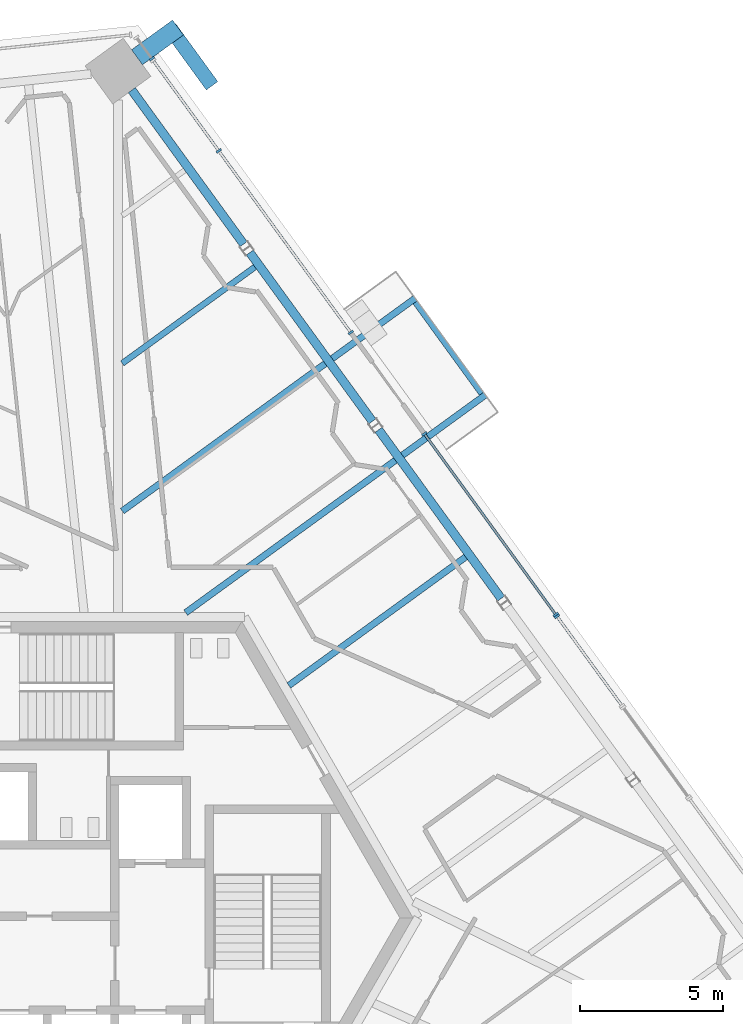
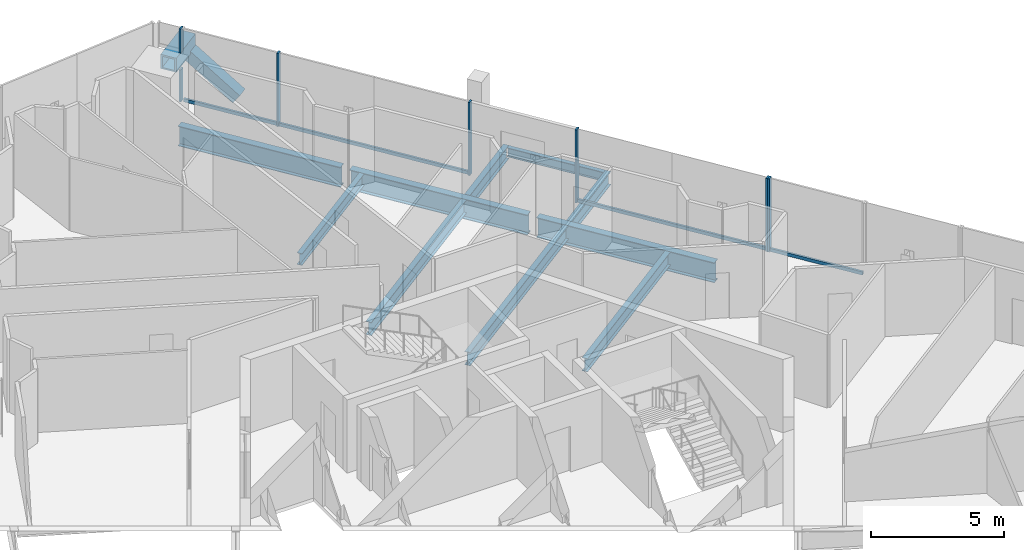
# One storey, part 10 of 26: 13 members, 10 beams, 5 elements without a shape of their own.
"""IFC4 building model written with IfcOpenShell, lengths in metres."""

from ifc_helpers import new_model, si_unit, direction, frame, origin, origin_2d, place, context, subcontext, project, spatial, rectangle, hollow_rectangle, i_section, extrude, source, transform, mapped, material, material_profile, profile_set, type_object, element, aggregate, save


model = new_model("IFC4")

# Units and contexts
model_context = context("Model", 3, precision=1e-05, world=origin(), true_north=direction((0.0, 1.0)))
body_context = subcontext(model_context, "Body", "Model", "MODEL_VIEW")
ifc_project = project(units=[si_unit("LENGTHUNIT", "METRE"), si_unit("AREAUNIT", "SQUARE_METRE"), si_unit("VOLUMEUNIT", "CUBIC_METRE"), si_unit("PLANEANGLEUNIT", "RADIAN"), si_unit("MASSUNIT", "GRAM", prefix="KILO")], contexts=[model_context])

# Site, building, storey
site_placement = place(None, origin())
site = spatial("IfcSite", under=ifc_project, at=site_placement, CompositionType="ELEMENT")
building_placement = place(site_placement, origin())
building = spatial("IfcBuilding", under=site, at=building_placement, Name="Triune Harvest Tower", CompositionType="ELEMENT")
storey_placement = place(building_placement, frame((0.0, 0.0, 252.10009765625)))
storey = spatial("IfcBuildingStorey", under=building, at=storey_placement, Name="L66", CompositionType="ELEMENT", Elevation=252.10009765625)

# Curtain wall, member
ifc_material_1 = material(Name="Aluminium bronze anodised", Category="aluminium")
curtain_wall_type_1 = type_object("IfcCurtainWallType", Name="CW-10 Balcony window wall with insulated spandrel infill", PredefinedType="NOTDEFINED", material=ifc_material_1)
curtain_wall_1_placement = place(storey_placement, origin())
curtain_wall_1 = element("IfcCurtainWall", 1, at=curtain_wall_1_placement, inside=storey, type_object=curtain_wall_type_1, Name="CW-10 B6-F1 L66 run 2201")
ifc_material_2 = material(Name="Aluminium bronze anodised", Category="aluminium")
ifc_material_profile_1 = material_profile(ifc_material_2, rectangle(XDim=0.090087890625, YDim=0.14990234375, at=origin_2d()), Name="TR-6 transom 90 x 150")
ifc_profile_set_1 = profile_set([ifc_material_profile_1], Name="Aluminium bronze anodised")
member_type_1 = type_object("IfcMemberType", Name="TR-6 transom 90 x 150", PredefinedType="USERDEFINED", material=ifc_profile_set_1)
member_1_placement = place(storey_placement, frame((19.30419921875, 7.462158203125, 0.074951171875), z_axis=(-0.587831933757, 0.808983076248, 0.0), x_axis=(-0.808983076248, -0.587831933757, 0.0)))
member_1 = element("IfcMember", 2, at=member_1_placement, type_object=member_type_1, Name="CW-10 transom B6-F1 2201.1", ObjectType="TRANSOM", PredefinedType="USERDEFINED", context=body_context, shape_type="SweptSolid", body=[
    extrude(rectangle(XDim=0.090087890625, YDim=0.14990234375, at=origin_2d()), origin(), (0.0, 0.0, 1.0), 3.80322265625),
])

ifc_material_3 = material(Name="Aluminium bronze anodised", Category="aluminium")
curtain_wall_type_2 = type_object("IfcCurtainWallType", Name="CW-6 Balcony window wall", PredefinedType="NOTDEFINED", material=ifc_material_3)
curtain_wall_2_placement = place(storey_placement, origin())
curtain_wall_2 = element("IfcCurtainWall", 3, at=curtain_wall_2_placement, inside=storey, type_object=curtain_wall_type_2, Name="CW-6 B6-F1 L66 run 3201")
member_2_placement = place(storey_placement, frame((16.98046875, 10.66015625, 0.074951171875), z_axis=(-0.587772972264, 0.809025916196, 0.0), x_axis=(-0.809025916196, -0.587772972264, 0.0)))
member_2 = element("IfcMember", 4, at=member_2_placement, type_object=member_type_1, Name="CW-6 transom B6-F1 3201.1", ObjectType="TRANSOM", PredefinedType="USERDEFINED", context=body_context, shape_type="SweptSolid", body=[
    extrude(rectangle(XDim=0.090087890625, YDim=0.14990234375, at=origin_2d()), origin(), (0.0, 0.0, 1.0), 7.756103515625),
])

# Curtain wall, members
curtain_wall_3_placement = place(storey_placement, origin())
curtain_wall_3 = element("IfcCurtainWall", 5, at=curtain_wall_3_placement, inside=storey, type_object=curtain_wall_type_1, Name="CW-10 B6-F1 L66 run 2")
member_3_placement = place(storey_placement, frame((9.79638671875, 20.548583984375, 0.074951171875), z_axis=(-0.587789902584, 0.80901361572, 0.0), x_axis=(-0.80901361572, -0.587789902584, 0.0)))
member_3 = element("IfcMember", 6, at=member_3_placement, type_object=member_type_1, Name="CW-10 transom B6-F1 2.1", ObjectType="TRANSOM", PredefinedType="USERDEFINED", context=body_context, shape_type="SweptSolid", body=[
    extrude(rectangle(XDim=0.090087890625, YDim=0.14990234375, at=origin_2d()), origin(), (0.0, 0.0, 1.0), 7.795654296875),
])
member_4_placement = place(storey_placement, frame((5.169921875, 26.916015625, 0.074951171875), z_axis=(-0.587789978261, 0.809013560737, 0.0), x_axis=(-0.809013560737, -0.587789978261, 0.0)))
member_4 = element("IfcMember", 7, at=member_4_placement, type_object=member_type_1, Name="CW-10 transom B6-F1 2.2", ObjectType="TRANSOM", PredefinedType="USERDEFINED", context=body_context, shape_type="SweptSolid", body=[
    extrude(rectangle(XDim=0.090087890625, YDim=0.14990234375, at=origin_2d()), origin(), (0.0, 0.0, 1.0), 3.841552734375),
])

# Beams
ifc_material_4 = material(Name="Steel ASTM A992 Gr 50", Category="steel")
ifc_material_profile_2 = material_profile(ifc_material_4, i_section(OverallWidth=0.3046875, OverallDepth=0.914306640625, WebThickness=0.0166015625, FlangeThickness=0.02587890625, at=origin_2d()), Name="W36x160")
ifc_profile_set_2 = profile_set([ifc_material_profile_2], Name="Steel ASTM A992 Gr 50")
beam_type_1 = type_object("IfcBeamType", Name="SB-1 Spandrel beam W36x160", PredefinedType="SPANDREL", material=ifc_profile_set_2)
shared_shape_1 = source(origin(), body_context, "Body", "SweptSolid", [
    extrude(i_section(OverallWidth=0.3046875, OverallDepth=0.914306640625, WebThickness=0.0166015625, FlangeThickness=0.02587890625, at=origin_2d()), origin(), (0.0, 0.0, 1.0), 6.67041015625),
])
beam_1_placement = place(storey_placement, frame((6.06396484375, 23.617919921875, -0.6171875), z_axis=(-0.587797324645, 0.80900822316, 0.0), x_axis=(-0.80900822316, -0.587797324645, 0.0)))
element("IfcBeam", 8, at=beam_1_placement, inside=storey, type_object=beam_type_1, Name="beam/L66/SB6", PredefinedType="SPANDREL", context=body_context, shape_type="MappedRepresentation", body=[
    mapped(shared_shape_1, transform((0.0, 0.0, 0.0), scale=1.0)),
])
shared_shape_2 = source(origin(), body_context, "Body", "SweptSolid", [
    extrude(i_section(OverallWidth=0.3046875, OverallDepth=0.914306640625, WebThickness=0.0166015625, FlangeThickness=0.02587890625, at=origin_2d()), origin(), (0.0, 0.0, 1.0), 7.31103515625),
])
for number, where, z_axis, x_axis, name in (
    (9, (15.091552734375, 11.1923828125, -0.6171875), (-0.587786436325, 0.809016134124, 0.0), (-0.809016134124, -0.587786436325, 0.0), "beam/L66/SB4"),
    (10, (10.57763671875, 17.405029296875, -0.6171875), (-0.587786436325, 0.809016134124, 0.0), (-0.809016134124, -0.587786436325, 0.0), "beam/L66/SB5"),
):
    element("IfcBeam", number, at=place(storey_placement, frame(where, z_axis=z_axis, x_axis=x_axis)), inside=storey, type_object=beam_type_1, Name=name, PredefinedType="SPANDREL", context=body_context, shape_type="MappedRepresentation", body=[
        mapped(shared_shape_2, transform((0.0, 0.0, 0.0), scale=1.0)),
    ])
ifc_material_5 = material(Name="Steel ASTM A992 Gr 50", Category="steel")
ifc_material_profile_3 = material_profile(ifc_material_5, i_section(OverallWidth=0.22900390625, OverallDepth=0.612060546875, WebThickness=0.011962890625, FlangeThickness=0.01953125, at=origin_2d()), Name="W24x84")
ifc_profile_set_3 = profile_set([ifc_material_profile_3], Name="Steel ASTM A992 Gr 50")
beam_type_2 = type_object("IfcBeamType", Name="JT-3 Floor joist W24x84", PredefinedType="JOIST", material=ifc_profile_set_3)
shared_shape_3 = source(origin(), body_context, "Body", "SweptSolid", [
    extrude(i_section(OverallWidth=0.22900390625, OverallDepth=0.612060546875, WebThickness=0.011962890625, FlangeThickness=0.01953125, at=origin_2d()), origin(), (0.0, 0.0, 1.0), 7.659423828125),
])
beam_2_placement = place(storey_placement, frame((13.845458984375, 12.648193359375, -0.46630859375), z_axis=(-0.809007534686, -0.587798272217, 0.0), x_axis=(0.587798272217, -0.809007534686, 0.0)))
element("IfcBeam", 11, at=beam_2_placement, inside=storey, type_object=beam_type_2, Name="beam/L66/JT6", PredefinedType="JOIST", context=body_context, shape_type="MappedRepresentation", body=[
    mapped(shared_shape_3, transform((0.0, 0.0, 0.0), scale=1.0)),
])
shared_shape_4 = source(origin(), body_context, "Body", "SweptSolid", [
    extrude(i_section(OverallWidth=0.22900390625, OverallDepth=0.612060546875, WebThickness=0.011962890625, FlangeThickness=0.01953125, at=origin_2d()), origin(), (0.0, 0.0, 1.0), 9.084716796875),
])
beam_3_placement = place(storey_placement, frame((11.38330078125, 16.036865234375, -0.46630859375), z_axis=(-0.809014901919, -0.5877881323, 0.0), x_axis=(0.5877881323, -0.809014901919, 0.0)))
element("IfcBeam", 12, at=beam_3_placement, inside=storey, type_object=beam_type_2, Name="beam/L66/JT7", PredefinedType="JOIST", context=body_context, shape_type="MappedRepresentation", body=[
    mapped(shared_shape_4, transform((0.0, 0.0, 0.0), scale=1.0)),
])
shared_shape_5 = source(origin(), body_context, "Body", "SweptSolid", [
    extrude(i_section(OverallWidth=0.22900390625, OverallDepth=0.612060546875, WebThickness=0.011962890625, FlangeThickness=0.01953125, at=origin_2d()), origin(), (0.0, 0.0, 1.0), 8.789306640625),
])
beam_4_placement = place(storey_placement, frame((8.921142578125, 19.42578125, -0.46630859375), z_axis=(-0.809011065255, -0.587793412939, 0.0), x_axis=(0.587793412939, -0.809011065255, 0.0)))
element("IfcBeam", 13, at=beam_4_placement, inside=storey, type_object=beam_type_2, Name="beam/L66/JT8", PredefinedType="JOIST", context=body_context, shape_type="MappedRepresentation", body=[
    mapped(shared_shape_5, transform((0.0, 0.0, 0.0), scale=1.0)),
])
ifc_material_6 = material(Name="Steel ASTM A992 Gr 50", Category="steel")
ifc_material_profile_4 = material_profile(ifc_material_6, i_section(OverallWidth=0.2099609375, OverallDepth=0.535888671875, WebThickness=0.010986328125, FlangeThickness=0.017333984375, at=origin_2d()), Name="W21x68")
ifc_profile_set_4 = profile_set([ifc_material_profile_4], Name="Steel ASTM A992 Gr 50")
beam_type_3 = type_object("IfcBeamType", Name="JT-2 Floor joist W21x68", PredefinedType="JOIST", material=ifc_profile_set_4)
shared_shape_6 = source(origin(), body_context, "Body", "SweptSolid", [
    extrude(i_section(OverallWidth=0.2099609375, OverallDepth=0.535888671875, WebThickness=0.010986328125, FlangeThickness=0.017333984375, at=origin_2d()), origin(), (0.0, 0.0, 1.0), 5.745849609375),
])
beam_5_placement = place(storey_placement, frame((6.458984375, 22.814453125, -0.427978515625), z_axis=(-0.809024464979, -0.587774969751, 0.0), x_axis=(0.587774969751, -0.809024464979, 0.0)))
element("IfcBeam", 14, at=beam_5_placement, inside=storey, type_object=beam_type_3, Name="beam/L66/JT9", PredefinedType="JOIST", context=body_context, shape_type="MappedRepresentation", body=[
    mapped(shared_shape_6, transform((0.0, 0.0, 0.0), scale=1.0)),
])

# Members
ifc_material_7 = material(Name="Steel ASTM A572 Gr 50", Category="steel")
ifc_material_profile_5 = material_profile(ifc_material_7, hollow_rectangle(XDim=0.64990234375, YDim=0.64990234375, WallThickness=0.070068359375, at=origin_2d()), Name="Box 650x650x70")
ifc_profile_set_5 = profile_set([ifc_material_profile_5], Name="Steel ASTM A572 Gr 50")
member_type_2 = type_object("IfcMemberType", Name="BS-1 Brace stub Box 650x650x70", PredefinedType="STRUT", material=ifc_profile_set_5)
shared_shape_7 = source(origin(), body_context, "Body", "SweptSolid", [
    extrude(hollow_rectangle(XDim=0.64990234375, YDim=0.64990234375, WallThickness=0.070068359375, at=origin_2d()), origin(), (0.0, 0.0, 1.0), 1.775390625),
])
member_5_placement = place(storey_placement, frame((2.32568359375, 30.16650390625, 1.849853515625), z_axis=(0.808967929221, 0.587852778756, 0.0), x_axis=(-0.587852778756, 0.808967929221, 0.0)))
element("IfcMember", 15, at=member_5_placement, inside=storey, type_object=member_type_2, Name="brace/B6-F1/stub2", PredefinedType="STRUT", context=body_context, shape_type="MappedRepresentation", body=[
    mapped(shared_shape_7, transform((0.0, 0.0, 0.0), scale=1.0)),
])
ifc_material_8 = material(Name="Steel ASTM A572 Gr 50", Category="steel")
ifc_material_profile_6 = material_profile(ifc_material_8, hollow_rectangle(XDim=0.5, YDim=0.5, WallThickness=0.030029296875, at=origin_2d()), Name="Box 500x500x30")
ifc_profile_set_6 = profile_set([ifc_material_profile_6], Name="Steel ASTM A572 Gr 50")
member_type_3 = type_object("IfcMemberType", Name="BR-3 Brace Box 500x500x30", PredefinedType="BRACE", material=ifc_profile_set_6)
shared_shape_8 = source(origin(), body_context, "Body", "SweptSolid", [
    extrude(hollow_rectangle(XDim=0.5, YDim=0.5, WallThickness=0.030029296875, at=origin_2d()), origin(), (0.0, 0.0, 1.0), 2.718994140625),
])
member_6_placement = place(storey_placement, frame((4.8701171875, 29.285400390625, 0.0), z_axis=(-0.477414050778, 0.657084074402, 0.583366388547), x_axis=(-0.809008489532, -0.587796958027, 0.0)))
element("IfcMember", 16, at=member_6_placement, inside=storey, type_object=member_type_3, Name="brace/B6-F1/d1/10", PredefinedType="BRACE", context=body_context, shape_type="MappedRepresentation", body=[
    mapped(shared_shape_8, transform((0.0, 0.0, 0.0), scale=1.0)),
])

# Beams
ifc_material_9 = material(Name="Steel ASTM A992 Gr 50", Category="steel")
ifc_material_profile_7 = material_profile(ifc_material_9, i_section(OverallWidth=0.22900390625, OverallDepth=0.612060546875, WebThickness=0.011962890625, FlangeThickness=0.01953125, at=origin_2d()), Name="W24x84")
ifc_profile_set_7 = profile_set([ifc_material_profile_7], Name="Steel ASTM A992 Gr 50")
beam_type_4 = type_object("IfcBeamType", Name="BJ-3 Balcony cantilever joist W24x84", PredefinedType="JOIST", material=ifc_profile_set_7)
shared_shape_9 = source(origin(), body_context, "Body", "SweptSolid", [
    extrude(i_section(OverallWidth=0.22900390625, OverallDepth=0.612060546875, WebThickness=0.011962890625, FlangeThickness=0.01953125, at=origin_2d()), origin(), (0.0, 0.0, 1.0), 3.59765625),
])
for number, where, z_axis, x_axis, name in (
    (17, (9.167724609375, 19.60498046875, -0.46630859375), (0.809044100951, 0.587747941481, 0.0), (-0.587747941481, 0.809044100951, 0.0), "Balcony cantilever joist B6-F1 L66.8a"),
    (18, (11.6298828125, 16.216064453125, -0.46630859375), (0.809011831954, 0.58779235769, 0.0), (-0.58779235769, 0.809011831954, 0.0), "Balcony cantilever joist B6-F1 L66.8b"),
):
    element("IfcBeam", number, at=place(storey_placement, frame(where, z_axis=z_axis, x_axis=x_axis)), inside=storey, type_object=beam_type_4, Name=name, PredefinedType="JOIST", context=body_context, shape_type="MappedRepresentation", body=[
        mapped(shared_shape_9, transform((0.0, 0.0, 0.0), scale=1.0)),
    ])

# Curtain wall, member
curtain_wall_4_placement = place(storey_placement, origin())
curtain_wall_4 = element("IfcCurtainWall", 19, at=curtain_wall_4_placement, inside=storey, type_object=curtain_wall_type_2, Name="CW-6 B6-F1 L66 run 202")
ifc_material_10 = material(Name="Aluminium bronze anodised", Category="aluminium")
ifc_material_profile_8 = material_profile(ifc_material_10, rectangle(XDim=0.199951171875, YDim=0.074951171875, at=origin_2d()), Name="MU-6 mullion 75 x 200")
ifc_profile_set_8 = profile_set([ifc_material_profile_8], Name="Aluminium bronze anodised")
member_type_4 = type_object("IfcMemberType", Name="MU-6 mullion 75 x 200", PredefinedType="MULLION", material=ifc_profile_set_8)
shared_shape_10 = source(origin(), body_context, "Body", "SweptSolid", [
    extrude(rectangle(XDim=0.199951171875, YDim=0.074951171875, at=origin_2d()), origin(), (0.0, 0.0, 1.0), 1.114990234375),
])
member_7_placement = place(storey_placement, frame((2.845947265625, 30.114990234375, 2.23486328125), z_axis=(0.0, 0.0, 1.0), x_axis=(-0.809009310946, -0.58779582748, 0.0)))
member_7 = element("IfcMember", 20, at=member_7_placement, type_object=member_type_4, Name="CW-6 mullion B6-F1 202.1", PredefinedType="MULLION", context=body_context, shape_type="MappedRepresentation", body=[
    mapped(shared_shape_10, transform((0.0, 0.0, 0.0), scale=1.0)),
])
aggregate(curtain_wall_4, [member_7])

curtain_wall_5_placement = place(storey_placement, origin())
curtain_wall_5 = element("IfcCurtainWall", 21, at=curtain_wall_5_placement, inside=storey, type_object=curtain_wall_type_1, Name="CW-10 B6-F1 L66 run 102")
shared_shape_11 = source(origin(), body_context, "Body", "SweptSolid", [
    extrude(rectangle(XDim=0.199951171875, YDim=0.074951171875, at=origin_2d()), origin(), (0.0, 0.0, 1.0), 1.46484375),
])
member_8_placement = place(storey_placement, frame((2.845947265625, 30.114990234375, 0.0), z_axis=(0.0, 0.0, 1.0), x_axis=(-0.809009310946, -0.58779582748, 0.0)))
member_8 = element("IfcMember", 22, at=member_8_placement, type_object=member_type_4, Name="CW-10 mullion B6-F1 102.1", PredefinedType="MULLION", context=body_context, shape_type="MappedRepresentation", body=[
    mapped(shared_shape_11, transform((0.0, 0.0, 0.0), scale=1.0)),
])
aggregate(curtain_wall_5, [member_8])

# Member
shared_shape_12 = source(origin(), body_context, "Body", "SweptSolid", [
    extrude(rectangle(XDim=0.199951171875, YDim=0.074951171875, at=origin_2d()), origin(), (0.0, 0.0, 1.0), 3.349853515625),
])
member_9_placement = place(storey_placement, frame((17.046630859375, 10.5693359375, 0.0), z_axis=(0.0, 0.0, 1.0), x_axis=(-0.809011660418, -0.587792593784, 0.0)))
member_9 = element("IfcMember", 23, at=member_9_placement, type_object=member_type_4, Name="CW-10 mullion B6-F1 2201.2", PredefinedType="MULLION", context=body_context, shape_type="MappedRepresentation", body=[
    mapped(shared_shape_12, transform((0.0, 0.0, 0.0), scale=1.0)),
])

aggregate(curtain_wall_1, [member_9, member_1])

member_10_placement = place(storey_placement, frame((17.00244140625, 10.6298828125, 0.0), z_axis=(0.0, 0.0, 1.0), x_axis=(-0.809017675096, -0.587784315359, 0.0)))
member_10 = element("IfcMember", 24, at=member_10_placement, type_object=member_type_4, Name="CW-6 mullion B6-F1 3201.1", PredefinedType="MULLION", context=body_context, shape_type="MappedRepresentation", body=[
    mapped(shared_shape_12, transform((0.0, 0.0, 0.0), scale=1.0)),
])

member_11_placement = place(storey_placement, frame((12.399658203125, 16.965576171875, 0.0), z_axis=(0.0, 0.0, 1.0), x_axis=(-0.809017675096, -0.587784315359, 0.0)))
member_11 = element("IfcMember", 25, at=member_11_placement, type_object=member_type_4, Name="CW-6 mullion B6-F1 3201.3", PredefinedType="MULLION", context=body_context, shape_type="MappedRepresentation", body=[
    mapped(shared_shape_12, transform((0.0, 0.0, 0.0), scale=1.0)),
])

aggregate(curtain_wall_2, [member_10, member_11, member_2])

member_12_placement = place(storey_placement, frame((9.818359375, 20.51806640625, 0.0), z_axis=(0.0, 0.0, 1.0), x_axis=(-0.809019238725, -0.587782163197, 0.0)))
member_12 = element("IfcMember", 26, at=member_12_placement, type_object=member_type_4, Name="CW-10 mullion B6-F1 2.1", PredefinedType="MULLION", context=body_context, shape_type="MappedRepresentation", body=[
    mapped(shared_shape_12, transform((0.0, 0.0, 0.0), scale=1.0)),
])

member_13_placement = place(storey_placement, frame((5.192138671875, 26.8857421875, 0.0), z_axis=(0.0, 0.0, 1.0), x_axis=(-0.809019238725, -0.587782163197, 0.0)))
member_13 = element("IfcMember", 27, at=member_13_placement, type_object=member_type_4, Name="CW-10 mullion B6-F1 2.3", PredefinedType="MULLION", context=body_context, shape_type="MappedRepresentation", body=[
    mapped(shared_shape_12, transform((0.0, 0.0, 0.0), scale=1.0)),
])

aggregate(curtain_wall_3, [member_12, member_13, member_3, member_4])

# Beam
ifc_material_11 = material(Name="Steel ASTM A992 Gr 50", Category="steel")
ifc_material_profile_9 = material_profile(ifc_material_11, i_section(OverallWidth=0.180908203125, OverallDepth=0.41650390625, WebThickness=0.010986328125, FlangeThickness=0.01806640625, at=origin_2d()), Name="W16x57")
ifc_profile_set_9 = profile_set([ifc_material_profile_9], Name="Steel ASTM A992 Gr 50")
beam_type_5 = type_object("IfcBeamType", Name="BE-1 balcony edge beam W16x57", PredefinedType="BEAM", material=ifc_profile_set_9)
shared_shape_13 = source(origin(), body_context, "Body", "SweptSolid", [
    extrude(i_section(OverallWidth=0.180908203125, OverallDepth=0.41650390625, WebThickness=0.010986328125, FlangeThickness=0.01806640625, at=origin_2d()), origin(), (0.0, 0.0, 1.0), 3.959716796875),
])
beam_6_placement = place(storey_placement, frame((12.072509765625, 21.57373046875, -0.368408203125), z_axis=(0.587757365392, -0.80903725466, 0.0), x_axis=(0.80903725466, 0.587757365392, 0.0)))
element("IfcBeam", 28, at=beam_6_placement, inside=storey, type_object=beam_type_5, Name="Balcony edge beam B6-F1 L66.8", PredefinedType="BEAM", context=body_context, shape_type="MappedRepresentation", body=[
    mapped(shared_shape_13, transform((0.0, 0.0, 0.0), scale=1.0)),
])

save(model, "model.ifc")
